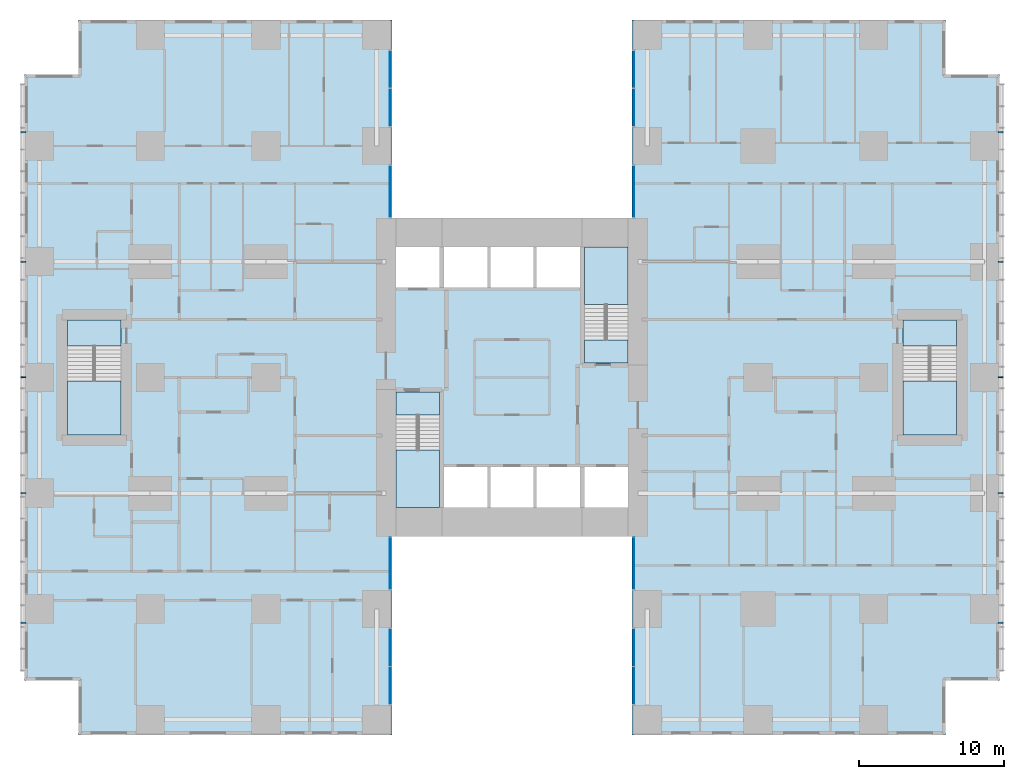
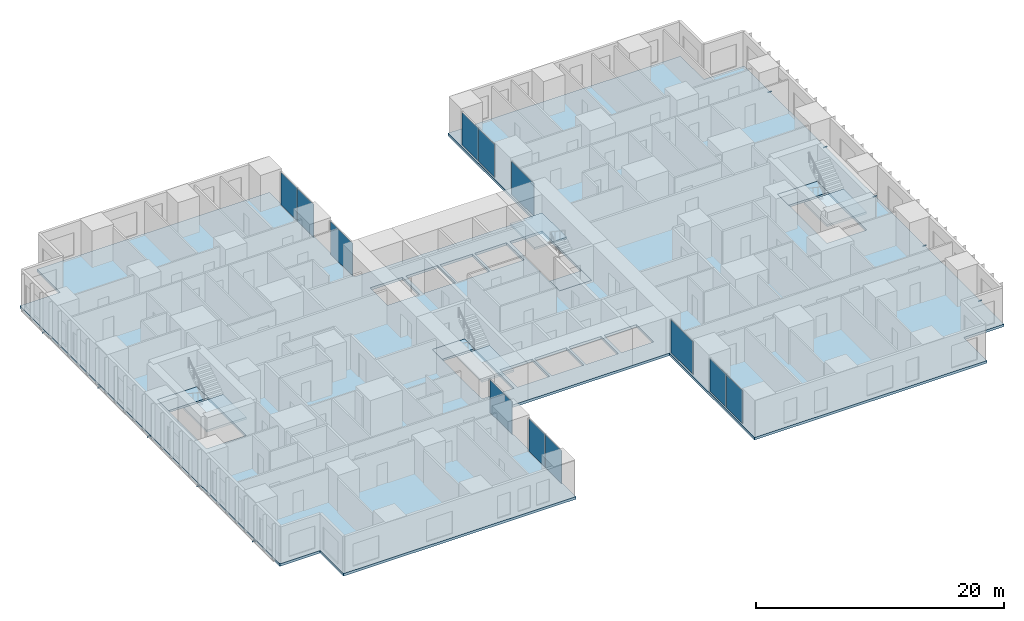
# One storey, part 7 of 20: 12 plates, 10 members, 9 slabs, 12 elements without a shape of their own.
"""IFC4 building model written with IfcOpenShell, lengths in metres."""

from ifc_helpers import new_model, si_unit, direction, frame, origin, origin_2d, place, context, subcontext, project, spatial, polyline, rectangle, hollow_rectangle, outline, extrude, material, layer, layer_set, material_profile, profile_set, type_object, element, aggregate, save


model = new_model("IFC4")

# Units and contexts
model_context = context("Model", 3, precision=1e-05, world=origin(), true_north=direction((0.0, 1.0)))
body_context = subcontext(model_context, "Body", "Model", "MODEL_VIEW")
ifc_project = project(units=[si_unit("LENGTHUNIT", "METRE"), si_unit("AREAUNIT", "SQUARE_METRE"), si_unit("VOLUMEUNIT", "CUBIC_METRE"), si_unit("PLANEANGLEUNIT", "RADIAN"), si_unit("MASSUNIT", "GRAM", prefix="KILO")], contexts=[model_context])

# Site, building, storey
site_placement = place(None, origin())
site = spatial("IfcSite", under=ifc_project, at=site_placement, CompositionType="ELEMENT")
building_placement = place(site_placement, origin())
building = spatial("IfcBuilding", under=site, at=building_placement, Name="Cleftline Residences", CompositionType="ELEMENT")
storey_placement = place(building_placement, frame((0.0, 0.0, 157.39990234375)))
storey = spatial("IfcBuildingStorey", under=building, at=storey_placement, Name="L41", CompositionType="ELEMENT", Elevation=157.39990234375)

# Members
ifc_material_1 = material(Name="Steel S355, hot-dip galvanised", Category="steel")
ifc_material_profile = material_profile(ifc_material_1, hollow_rectangle(XDim=0.10009765625, YDim=0.10009765625, WallThickness=0.008056640625, InnerFilletRadius=0.008056640625, OuterFilletRadius=0.011962890625, at=origin_2d()))
ifc_profile_set = profile_set([ifc_material_profile], Name="Steel S355, hot-dip galvanised")
member_type = type_object("IfcMemberType", Name="BAGUETTE BRACKET SHS 100X100X8", PredefinedType="USERDEFINED", material=ifc_profile_set)
for number, where, z_axis, x_axis, name in (
    (1, (66.60009765625, 7.050048828125, -0.14990234375), (1.0, 0.0, 0.0), (0.0, 1.0, 0.0), "Baguette bracket"),
    (2, (66.60009765625, 16.0, -0.14990234375), (1.0, 0.0, 0.0), (0.0, 1.0, 0.0), "Baguette bracket"),
    (3, (66.60009765625, 24.0, -0.14990234375), (1.0, 0.0, 0.0), (0.0, 1.0, 0.0), "Baguette bracket"),
    (4, (66.60009765625, 32.0, -0.14990234375), (1.0, 0.0, 0.0), (0.0, 1.0, 0.0), "Baguette bracket"),
    (5, (66.60009765625, 40.949951171875, -0.14990234375), (1.0, 0.0, 0.0), (0.0, 1.0, 0.0), "Baguette bracket"),
    (6, (-0.60009765625, 40.949951171875, -0.14990234375), (-1.0, 0.0, 0.0), (0.0, -1.0, 0.0), "Baguette bracket"),
    (7, (-0.60009765625, 32.0, -0.14990234375), (-1.0, 0.0, 0.0), (0.0, -1.0, 0.0), "Baguette bracket"),
    (8, (-0.60009765625, 24.0, -0.14990234375), (-1.0, 0.0, 0.0), (0.0, -1.0, 0.0), "Baguette bracket"),
    (9, (-0.60009765625, 16.0, -0.14990234375), (-1.0, 0.0, 0.0), (0.0, -1.0, 0.0), "Baguette bracket"),
    (10, (-0.60009765625, 7.050048828125, -0.14990234375), (-1.0, 0.0, 0.0), (0.0, -1.0, 0.0), "Baguette bracket"),
):
    element("IfcMember", number, at=place(storey_placement, frame(where, z_axis=z_axis, x_axis=x_axis)), inside=storey, type_object=member_type, Name=name, ObjectType="BAGUETTE BRACKET", PredefinedType="USERDEFINED", context=body_context, shape_type="SweptSolid", body=[
        extrude(hollow_rectangle(XDim=0.10009765625, YDim=0.10009765625, WallThickness=0.008056640625, InnerFilletRadius=0.008056640625, OuterFilletRadius=0.011962890625, at=origin_2d()), origin(), (0.0, 0.0, 1.0), 0.349853515625),
    ])

# Curtain wall, plates
ifc_material_2 = material(Name="Aluminium framed curtain wall", Category="aluminium")
ifc_layer_1 = layer(ifc_material_2, 0.199951171875)
ifc_layer_set_1 = layer_set([ifc_layer_1], Name="CW1 CLEFT GLAZING")
curtain_wall_type = type_object("IfcCurtainWallType", Name="CW1 CLEFT GLAZING", PredefinedType="NOTDEFINED", material=ifc_layer_set_1)
curtain_wall_1_placement = place(storey_placement, origin())
curtain_wall_1 = element("IfcCurtainWall", 11, at=curtain_wall_1_placement, inside=storey, type_object=curtain_wall_type, Name="Curtain wall CW1", PredefinedType="NOTDEFINED")
ifc_material_3 = material(Name="Laminated clear glass", Category="glass")
ifc_layer_2 = layer(ifc_material_3, 0.028076171875)
ifc_layer_set_2 = layer_set([ifc_layer_2], Name="CW1 GLASS PANEL")
plate_type = type_object("IfcPlateType", Name="CW1 GLASS PANEL", PredefinedType="CURTAIN_PANEL", material=ifc_layer_set_2)
plate_1_placement = place(storey_placement, frame((24.574951171875, 2.702392578125, 0.06005859375), z_axis=(0.0, 0.0, 1.0), x_axis=(0.0, 1.0, 0.0)))
plate_1 = element("IfcPlate", 12, at=plate_1_placement, type_object=plate_type, Name="CW1 panel 1.1", PredefinedType="CURTAIN_PANEL", context=body_context, shape_type="SweptSolid", body=[
    extrude(rectangle(XDim=2.5849609375, YDim=0.028076171875, at=origin_2d()), origin(), (0.0, 0.0, 1.0), 3.22998046875),
])
plate_2_placement = place(storey_placement, frame((24.574951171875, 5.347412109375, 0.06005859375), z_axis=(0.0, 0.0, 1.0), x_axis=(0.0, 1.0, 0.0)))
plate_2 = element("IfcPlate", 13, at=plate_2_placement, type_object=plate_type, Name="CW1 panel 2.1", PredefinedType="CURTAIN_PANEL", context=body_context, shape_type="SweptSolid", body=[
    extrude(rectangle(XDim=2.5849609375, YDim=0.028076171875, at=origin_2d()), origin(), (0.0, 0.0, 1.0), 3.22998046875),
])
aggregate(curtain_wall_1, [plate_1, plate_2])

# Curtain wall, plate
curtain_wall_2_placement = place(storey_placement, origin())
curtain_wall_2 = element("IfcCurtainWall", 14, at=curtain_wall_2_placement, inside=storey, type_object=curtain_wall_type, Name="Curtain wall CW1", PredefinedType="NOTDEFINED")
plate_3_placement = place(storey_placement, frame((24.574951171875, 11.14990234375, 0.06005859375), z_axis=(0.0, 0.0, 1.0), x_axis=(0.0, 1.0, 0.0)))
plate_3 = element("IfcPlate", 15, at=plate_3_placement, type_object=plate_type, Name="CW1 panel 1.1", PredefinedType="CURTAIN_PANEL", context=body_context, shape_type="SweptSolid", body=[
    extrude(rectangle(XDim=3.580078125, YDim=0.028076171875, at=origin_2d()), origin(), (0.0, 0.0, 1.0), 3.22998046875),
])
aggregate(curtain_wall_2, [plate_3])

curtain_wall_3_placement = place(storey_placement, origin())
curtain_wall_3 = element("IfcCurtainWall", 16, at=curtain_wall_3_placement, inside=storey, type_object=curtain_wall_type, Name="Curtain wall CW1", PredefinedType="NOTDEFINED")
plate_4_placement = place(storey_placement, frame((41.425048828125, 11.14990234375, 0.06005859375), z_axis=(0.0, 0.0, 1.0), x_axis=(0.0, -1.0, 0.0)))
plate_4 = element("IfcPlate", 17, at=plate_4_placement, type_object=plate_type, Name="CW1 panel 1.1", PredefinedType="CURTAIN_PANEL", context=body_context, shape_type="SweptSolid", body=[
    extrude(rectangle(XDim=3.580078125, YDim=0.028076171875, at=origin_2d()), origin(), (0.0, 0.0, 1.0), 3.22998046875),
])
aggregate(curtain_wall_3, [plate_4])

# Curtain wall, plates
curtain_wall_4_placement = place(storey_placement, origin())
curtain_wall_4 = element("IfcCurtainWall", 18, at=curtain_wall_4_placement, inside=storey, type_object=curtain_wall_type, Name="Curtain wall CW1", PredefinedType="NOTDEFINED")
plate_5_placement = place(storey_placement, frame((41.425048828125, 5.347412109375, 0.06005859375), z_axis=(0.0, 0.0, 1.0), x_axis=(0.0, -1.0, 0.0)))
plate_5 = element("IfcPlate", 19, at=plate_5_placement, type_object=plate_type, Name="CW1 panel 1.1", PredefinedType="CURTAIN_PANEL", context=body_context, shape_type="SweptSolid", body=[
    extrude(rectangle(XDim=2.5849609375, YDim=0.028076171875, at=origin_2d()), origin(), (0.0, 0.0, 1.0), 3.22998046875),
])
plate_6_placement = place(storey_placement, frame((41.425048828125, 2.702392578125, 0.06005859375), z_axis=(0.0, 0.0, 1.0), x_axis=(0.0, -1.0, 0.0)))
plate_6 = element("IfcPlate", 20, at=plate_6_placement, type_object=plate_type, Name="CW1 panel 2.1", PredefinedType="CURTAIN_PANEL", context=body_context, shape_type="SweptSolid", body=[
    extrude(rectangle(XDim=2.5849609375, YDim=0.028076171875, at=origin_2d()), origin(), (0.0, 0.0, 1.0), 3.22998046875),
])
aggregate(curtain_wall_4, [plate_5, plate_6])

curtain_wall_5_placement = place(storey_placement, origin())
curtain_wall_5 = element("IfcCurtainWall", 21, at=curtain_wall_5_placement, inside=storey, type_object=curtain_wall_type, Name="Curtain wall CW1", PredefinedType="NOTDEFINED")
plate_7_placement = place(storey_placement, frame((41.425048828125, 45.297607421875, 0.06005859375), z_axis=(0.0, 0.0, 1.0), x_axis=(0.0, -1.0, 0.0)))
plate_7 = element("IfcPlate", 22, at=plate_7_placement, type_object=plate_type, Name="CW1 panel 1.1", PredefinedType="CURTAIN_PANEL", context=body_context, shape_type="SweptSolid", body=[
    extrude(rectangle(XDim=2.5849609375, YDim=0.028076171875, at=origin_2d()), origin(), (0.0, 0.0, 1.0), 3.22998046875),
])
plate_8_placement = place(storey_placement, frame((41.425048828125, 42.652587890625, 0.06005859375), z_axis=(0.0, 0.0, 1.0), x_axis=(0.0, -1.0, 0.0)))
plate_8 = element("IfcPlate", 23, at=plate_8_placement, type_object=plate_type, Name="CW1 panel 2.1", PredefinedType="CURTAIN_PANEL", context=body_context, shape_type="SweptSolid", body=[
    extrude(rectangle(XDim=2.5849609375, YDim=0.028076171875, at=origin_2d()), origin(), (0.0, 0.0, 1.0), 3.22998046875),
])
aggregate(curtain_wall_5, [plate_7, plate_8])

# Curtain wall, plate
curtain_wall_6_placement = place(storey_placement, origin())
curtain_wall_6 = element("IfcCurtainWall", 24, at=curtain_wall_6_placement, inside=storey, type_object=curtain_wall_type, Name="Curtain wall CW1", PredefinedType="NOTDEFINED")
plate_9_placement = place(storey_placement, frame((41.425048828125, 36.85009765625, 0.06005859375), z_axis=(0.0, 0.0, 1.0), x_axis=(0.0, -1.0, 0.0)))
plate_9 = element("IfcPlate", 25, at=plate_9_placement, type_object=plate_type, Name="CW1 panel 1.1", PredefinedType="CURTAIN_PANEL", context=body_context, shape_type="SweptSolid", body=[
    extrude(rectangle(XDim=3.580078125, YDim=0.028076171875, at=origin_2d()), origin(), (0.0, 0.0, 1.0), 3.22998046875),
])
aggregate(curtain_wall_6, [plate_9])

curtain_wall_7_placement = place(storey_placement, origin())
curtain_wall_7 = element("IfcCurtainWall", 26, at=curtain_wall_7_placement, inside=storey, type_object=curtain_wall_type, Name="Curtain wall CW1", PredefinedType="NOTDEFINED")
plate_10_placement = place(storey_placement, frame((24.574951171875, 36.85009765625, 0.06005859375), z_axis=(0.0, 0.0, 1.0), x_axis=(0.0, 1.0, 0.0)))
plate_10 = element("IfcPlate", 27, at=plate_10_placement, type_object=plate_type, Name="CW1 panel 1.1", PredefinedType="CURTAIN_PANEL", context=body_context, shape_type="SweptSolid", body=[
    extrude(rectangle(XDim=3.580078125, YDim=0.028076171875, at=origin_2d()), origin(), (0.0, 0.0, 1.0), 3.22998046875),
])
aggregate(curtain_wall_7, [plate_10])

# Curtain wall, plates
curtain_wall_8_placement = place(storey_placement, origin())
curtain_wall_8 = element("IfcCurtainWall", 28, at=curtain_wall_8_placement, inside=storey, type_object=curtain_wall_type, Name="Curtain wall CW1", PredefinedType="NOTDEFINED")
plate_11_placement = place(storey_placement, frame((24.574951171875, 42.652587890625, 0.06005859375), z_axis=(0.0, 0.0, 1.0), x_axis=(0.0, 1.0, 0.0)))
plate_11 = element("IfcPlate", 29, at=plate_11_placement, type_object=plate_type, Name="CW1 panel 1.1", PredefinedType="CURTAIN_PANEL", context=body_context, shape_type="SweptSolid", body=[
    extrude(rectangle(XDim=2.5849609375, YDim=0.028076171875, at=origin_2d()), origin(), (0.0, 0.0, 1.0), 3.22998046875),
])
plate_12_placement = place(storey_placement, frame((24.574951171875, 45.297607421875, 0.06005859375), z_axis=(0.0, 0.0, 1.0), x_axis=(0.0, 1.0, 0.0)))
plate_12 = element("IfcPlate", 30, at=plate_12_placement, type_object=plate_type, Name="CW1 panel 2.1", PredefinedType="CURTAIN_PANEL", context=body_context, shape_type="SweptSolid", body=[
    extrude(rectangle(XDim=2.5849609375, YDim=0.028076171875, at=origin_2d()), origin(), (0.0, 0.0, 1.0), 3.22998046875),
])
aggregate(curtain_wall_8, [plate_11, plate_12])

# Slab
ifc_material_4 = material(Name="Concrete B45", Category="concrete")
ifc_layer_3 = layer(ifc_material_4, 0.25)
ifc_layer_set_3 = layer_set([ifc_layer_3], Name="FLOOR SLAB 250")
slab_type_1 = type_object("IfcSlabType", Name="FLOOR SLAB 250", PredefinedType="FLOOR", material=ifc_layer_set_3)
slab_1_placement = place(storey_placement, frame((0.0, 0.0, -0.25)))
element("IfcSlab", 31, at=slab_1_placement, inside=storey, type_object=slab_type_1, Name="Floor slab L41", PredefinedType="FLOOR", context=body_context, shape_type="SweptSolid", body=[
    extrude(outline(polyline([(24.699951171875, 13.0), (41.300048828125, 13.0), (41.300048828125, -0.699951171875), (62.949951171875, -0.699951171875), (62.949951171875, 3.050048828125), (66.699951171875, 3.050048828125), (66.699951171875, 44.949951171875), (62.949951171875, 44.949951171875), (62.949951171875, 48.699951171875), (41.300048828125, 48.699951171875), (41.300048828125, 35.0), (24.699951171875, 35.0), (24.699951171875, 48.699951171875), (3.050048828125, 48.699951171875), (3.050048828125, 44.949951171875), (-0.699951171875, 44.949951171875), (-0.699951171875, 3.050048828125), (3.050048828125, 3.050048828125), (3.050048828125, -0.699951171875), (24.699951171875, -0.699951171875), (24.699951171875, 13.0)]), holes=[polyline([(28.0, 15.0), (28.0, 23.0), (25.0, 23.0), (25.0, 15.0), (28.0, 15.0)]), polyline([(41.0, 25.0), (41.0, 33.0), (38.0, 33.0), (38.0, 25.0), (41.0, 25.0)]), polyline([(28.0, 30.199951171875), (28.0, 33.0), (25.0, 33.0), (25.0, 30.199951171875), (28.0, 30.199951171875)]), polyline([(41.0, 15.0), (41.0, 17.800048828125), (38.0, 17.800048828125), (38.0, 15.0), (41.0, 15.0)]), polyline([(31.300048828125, 15.0), (31.300048828125, 17.800048828125), (28.300048828125, 17.800048828125), (28.300048828125, 15.0), (31.300048828125, 15.0)]), polyline([(34.5, 15.0), (34.5, 17.800048828125), (31.5, 17.800048828125), (31.5, 15.0), (34.5, 15.0)]), polyline([(37.699951171875, 15.0), (37.699951171875, 17.800048828125), (34.699951171875, 17.800048828125), (34.699951171875, 15.0), (37.699951171875, 15.0)]), polyline([(31.300048828125, 30.199951171875), (31.300048828125, 33.0), (28.300048828125, 33.0), (28.300048828125, 30.199951171875), (31.300048828125, 30.199951171875)]), polyline([(34.5, 30.199951171875), (34.5, 33.0), (31.5, 33.0), (31.5, 30.199951171875), (34.5, 30.199951171875)]), polyline([(37.699951171875, 30.199951171875), (37.699951171875, 33.0), (34.699951171875, 33.0), (34.699951171875, 30.199951171875), (37.699951171875, 30.199951171875)]), polyline([(63.72509765625, 20.02490234375), (63.72509765625, 27.97509765625), (60.02490234375, 27.97509765625), (60.02490234375, 20.02490234375), (63.72509765625, 20.02490234375)]), polyline([(5.97509765625, 20.02490234375), (5.97509765625, 27.97509765625), (2.27490234375, 27.97509765625), (2.27490234375, 20.02490234375), (5.97509765625, 20.02490234375)])]), origin(), (0.0, 0.0, 1.0), 0.25),
])

# Stair, slabs
ifc_material_5 = material(Name="Concrete B45, stone treads", Category="masonry")
stair_type_1 = type_object("IfcStairType", Name="STAIR A 1450 WIDE 180 RISER", PredefinedType="HALF_TURN_STAIR", material=ifc_material_5)
stair_1_placement = place(storey_placement, origin())
stair_1 = element("IfcStair", 32, at=stair_1_placement, inside=storey, type_object=stair_type_1, Name="Stair A L41", PredefinedType="HALF_TURN_STAIR")
ifc_material_6 = material(Name="Concrete B45", Category="concrete")
ifc_layer_4 = layer(ifc_material_6, 0.199951171875)
ifc_layer_set_4 = layer_set([ifc_layer_4], Name="STAIR LANDING 200")
slab_type_2 = type_object("IfcSlabType", Name="STAIR LANDING 200", PredefinedType="LANDING", material=ifc_layer_set_4)
slab_2_placement = place(storey_placement, frame((0.0, 0.0, -0.199951171875)))
slab_2 = element("IfcSlab", 33, at=slab_2_placement, type_object=slab_type_2, Name="ST-A landing 1", PredefinedType="LANDING", context=body_context, shape_type="SweptSolid", body=[
    extrude(outline(polyline([(25.0, 21.39990234375), (28.0, 21.39990234375), (28.0, 23.0), (25.0, 23.0), (25.0, 21.39990234375)])), origin(), (0.0, 0.0, 1.0), 0.199951171875),
])
slab_3_placement = place(storey_placement, frame((0.0, 0.0, 1.60009765625)))
slab_3 = element("IfcSlab", 34, at=slab_3_placement, type_object=slab_type_2, Name="ST-A landing 2", PredefinedType="LANDING", context=body_context, shape_type="SweptSolid", body=[
    extrude(outline(polyline([(25.0, 15.0), (28.0, 15.0), (28.0, 18.969970703125), (25.0, 18.969970703125), (25.0, 15.0)])), origin(), (0.0, 0.0, 1.0), 0.199951171875),
])
aggregate(stair_1, [slab_2, slab_3])

ifc_material_7 = material(Name="Concrete B45, stone treads", Category="masonry")
stair_type_2 = type_object("IfcStairType", Name="STAIR B 1450 WIDE 180 RISER", PredefinedType="HALF_TURN_STAIR", material=ifc_material_7)
stair_2_placement = place(storey_placement, origin())
stair_2 = element("IfcStair", 35, at=stair_2_placement, inside=storey, type_object=stair_type_2, Name="Stair B L41", PredefinedType="HALF_TURN_STAIR")
slab_4_placement = place(storey_placement, frame((0.0, 0.0, -0.199951171875)))
slab_4 = element("IfcSlab", 36, at=slab_4_placement, type_object=slab_type_2, Name="ST-B landing 1", PredefinedType="LANDING", context=body_context, shape_type="SweptSolid", body=[
    extrude(outline(polyline([(38.0, 25.0), (41.0, 25.0), (41.0, 26.60009765625), (38.0, 26.60009765625), (38.0, 25.0)])), origin(), (0.0, 0.0, 1.0), 0.199951171875),
])
slab_5_placement = place(storey_placement, frame((0.0, 0.0, 1.60009765625)))
slab_5 = element("IfcSlab", 37, at=slab_5_placement, type_object=slab_type_2, Name="ST-B landing 2", PredefinedType="LANDING", context=body_context, shape_type="SweptSolid", body=[
    extrude(outline(polyline([(38.0, 29.030029296875), (41.0, 29.030029296875), (41.0, 33.0), (38.0, 33.0), (38.0, 29.030029296875)])), origin(), (0.0, 0.0, 1.0), 0.199951171875),
])
aggregate(stair_2, [slab_4, slab_5])

ifc_material_8 = material(Name="Concrete B45, stone treads", Category="masonry")
stair_type_3 = type_object("IfcStairType", Name="STAIR E 1800 WIDE 180 RISER", PredefinedType="HALF_TURN_STAIR", material=ifc_material_8)
stair_3_placement = place(storey_placement, origin())
stair_3 = element("IfcStair", 38, at=stair_3_placement, inside=storey, type_object=stair_type_3, Name="Stair E L41", PredefinedType="HALF_TURN_STAIR")
slab_6_placement = place(storey_placement, frame((0.0, 0.0, -0.199951171875)))
slab_6 = element("IfcSlab", 39, at=slab_6_placement, type_object=slab_type_2, Name="ST-E landing 1", PredefinedType="LANDING", context=body_context, shape_type="SweptSolid", body=[
    extrude(outline(polyline([(60.02490234375, 26.175048828125), (63.72509765625, 26.175048828125), (63.72509765625, 27.97509765625), (60.02490234375, 27.97509765625), (60.02490234375, 26.175048828125)])), origin(), (0.0, 0.0, 1.0), 0.199951171875),
])
slab_7_placement = place(storey_placement, frame((0.0, 0.0, 1.60009765625)))
slab_7 = element("IfcSlab", 40, at=slab_7_placement, type_object=slab_type_2, Name="ST-E landing 2", PredefinedType="LANDING", context=body_context, shape_type="SweptSolid", body=[
    extrude(outline(polyline([(60.02490234375, 20.02490234375), (63.72509765625, 20.02490234375), (63.72509765625, 23.7451171875), (60.02490234375, 23.7451171875), (60.02490234375, 20.02490234375)])), origin(), (0.0, 0.0, 1.0), 0.199951171875),
])
aggregate(stair_3, [slab_6, slab_7])

ifc_material_9 = material(Name="Concrete B45, stone treads", Category="masonry")
stair_type_4 = type_object("IfcStairType", Name="STAIR W 1800 WIDE 180 RISER", PredefinedType="HALF_TURN_STAIR", material=ifc_material_9)
stair_4_placement = place(storey_placement, origin())
stair_4 = element("IfcStair", 41, at=stair_4_placement, inside=storey, type_object=stair_type_4, Name="Stair W L41", PredefinedType="HALF_TURN_STAIR")
slab_8_placement = place(storey_placement, frame((0.0, 0.0, -0.199951171875)))
slab_8 = element("IfcSlab", 42, at=slab_8_placement, type_object=slab_type_2, Name="ST-W landing 1", PredefinedType="LANDING", context=body_context, shape_type="SweptSolid", body=[
    extrude(outline(polyline([(2.27490234375, 26.175048828125), (5.97509765625, 26.175048828125), (5.97509765625, 27.97509765625), (2.27490234375, 27.97509765625), (2.27490234375, 26.175048828125)])), origin(), (0.0, 0.0, 1.0), 0.199951171875),
])
slab_9_placement = place(storey_placement, frame((0.0, 0.0, 1.60009765625)))
slab_9 = element("IfcSlab", 43, at=slab_9_placement, type_object=slab_type_2, Name="ST-W landing 2", PredefinedType="LANDING", context=body_context, shape_type="SweptSolid", body=[
    extrude(outline(polyline([(2.27490234375, 20.02490234375), (5.97509765625, 20.02490234375), (5.97509765625, 23.7451171875), (2.27490234375, 23.7451171875), (2.27490234375, 20.02490234375)])), origin(), (0.0, 0.0, 1.0), 0.199951171875),
])
aggregate(stair_4, [slab_8, slab_9])

save(model, "model.ifc")
